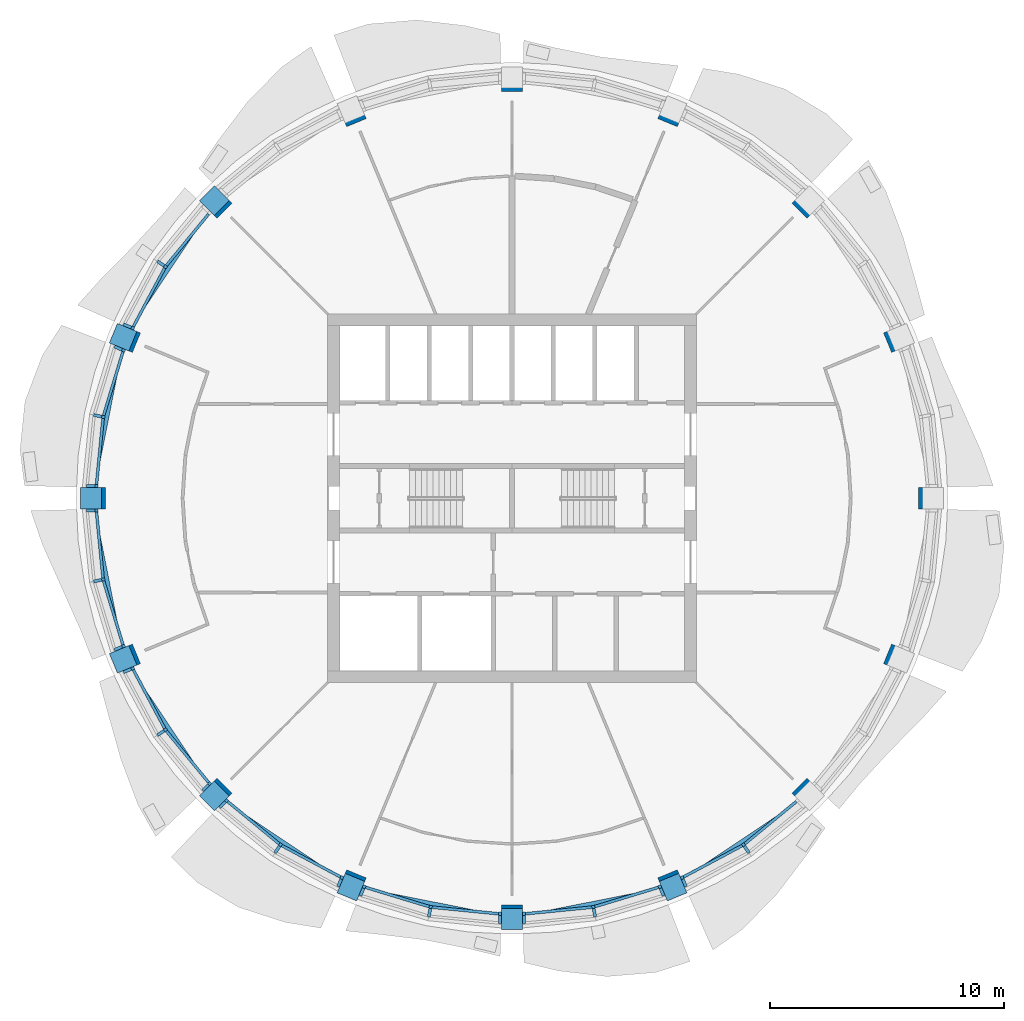
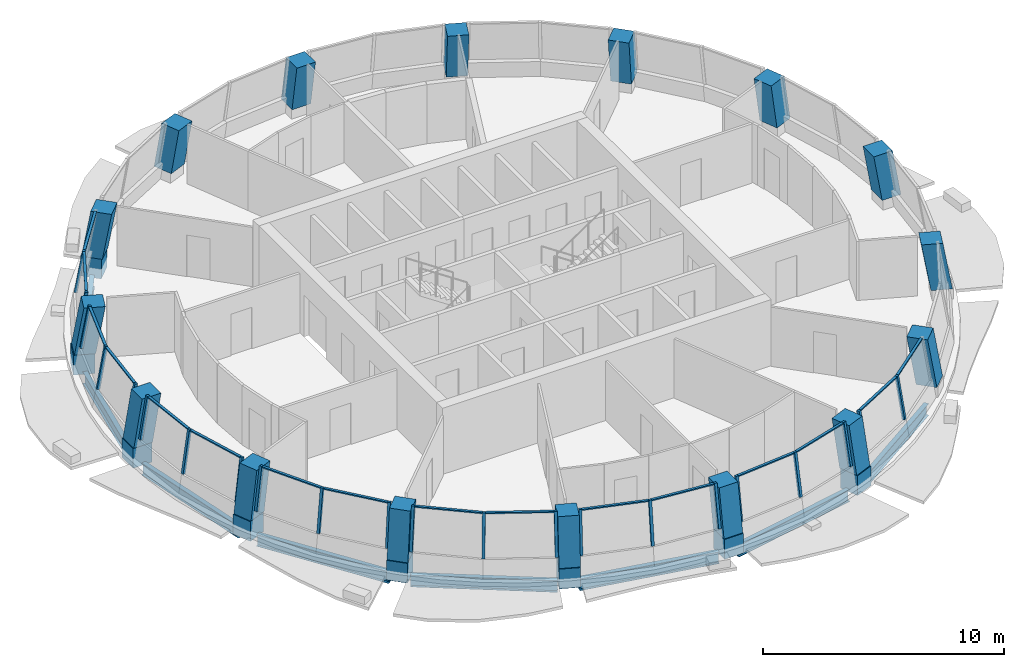
# One storey, part 1 of 11: 46 members, 16 columns, 8 beams, 8 elements without a shape of their own.
"""IFC4 building model written with IfcOpenShell, lengths in metres."""

from ifc_helpers import new_model, si_unit, direction, frame, origin, origin_2d, place, context, subcontext, project, spatial, rectangle, i_section, extrude, material, material_profile, profile_set, type_object, element, aggregate, save


model = new_model("IFC4")

# Units and contexts
model_context = context("Model", 3, precision=1e-05, world=origin(), true_north=direction((0.0, 1.0)))
body_context = subcontext(model_context, "Body", "Model", "MODEL_VIEW")
ifc_project = project(units=[si_unit("LENGTHUNIT", "METRE"), si_unit("AREAUNIT", "SQUARE_METRE"), si_unit("VOLUMEUNIT", "CUBIC_METRE"), si_unit("PLANEANGLEUNIT", "RADIAN"), si_unit("MASSUNIT", "GRAM", prefix="KILO")], contexts=[model_context])

# Site, building, storey
site_placement = place(None, origin())
site = spatial("IfcSite", under=ifc_project, at=site_placement, CompositionType="ELEMENT")
building_placement = place(site_placement, origin())
building = spatial("IfcBuilding", under=site, at=building_placement, Name="Polderwave Tower", CompositionType="ELEMENT")
storey_placement = place(building_placement, frame((0.0, 0.0, 184.300048828125)))
storey = spatial("IfcBuildingStorey", under=building, at=storey_placement, Name="L49", CompositionType="ELEMENT", Elevation=184.300048828125)

# Columns
ifc_material_1 = material(Name="Concrete C60/75", Category="concrete")
ifc_material_profile_1 = material_profile(ifc_material_1, rectangle(XDim=0.89990234375, YDim=0.89990234375, at=origin_2d()), Name="RC 900x900")
ifc_profile_set_1 = profile_set([ifc_material_profile_1], Name="Concrete C60/75")
column_type = type_object("IfcColumnType", Name="RC COLUMN 900x900 C60/75", PredefinedType="COLUMN", material=ifc_profile_set_1)
column_1_placement = place(storey_placement, frame((17.934814453125, 0.0, 0.5), z_axis=(0.0, 0.0, 1.0), x_axis=(0.0, -1.0, 0.0)))
element("IfcColumn", 1, at=column_1_placement, inside=storey, type_object=column_type, Name="Ring column 01", PredefinedType="COLUMN", context=body_context, shape_type="SweptSolid", body=[
    extrude(rectangle(XDim=0.89990234375, YDim=0.89990234375, at=origin_2d()), origin(), (0.0, -0.16767015469, 0.985843151432), 2.383544921875),
])
column_2_placement = place(storey_placement, frame((16.56982421875, 6.86328125, 0.5), z_axis=(0.0, 0.0, 1.0), x_axis=(0.382100188932, -0.924120904221, 0.0)))
element("IfcColumn", 2, at=column_2_placement, inside=storey, type_object=column_type, Name="Ring column 02", PredefinedType="COLUMN", context=body_context, shape_type="SweptSolid", body=[
    extrude(rectangle(XDim=0.89990234375, YDim=0.89990234375, at=origin_2d()), origin(), (0.0, -0.167800930214, 0.985820900478), 2.383544921875),
])
column_3_placement = place(storey_placement, frame((12.681884765625, 12.681884765625, 0.5), z_axis=(0.0, 0.0, 1.0), x_axis=(0.707106781187, -0.707106781187, 0.0)))
element("IfcColumn", 3, at=column_3_placement, inside=storey, type_object=column_type, Name="Ring column 03", PredefinedType="COLUMN", context=body_context, shape_type="SweptSolid", body=[
    extrude(rectangle(XDim=0.89990234375, YDim=0.89990234375, at=origin_2d()), origin(), (0.0, -0.16773578461, 0.985831986984), 2.383544921875),
])
column_4_placement = place(storey_placement, frame((6.86328125, 16.56982421875, 0.5), z_axis=(0.0, 0.0, 1.0), x_axis=(0.924120904221, -0.382100188932, 0.0)))
element("IfcColumn", 4, at=column_4_placement, inside=storey, type_object=column_type, Name="Ring column 04", PredefinedType="COLUMN", context=body_context, shape_type="SweptSolid", body=[
    extrude(rectangle(XDim=0.89990234375, YDim=0.89990234375, at=origin_2d()), origin(), (0.0, -0.167800930214, 0.985820900478), 2.383544921875),
])
column_5_placement = place(storey_placement, frame((0.0, 17.934814453125, 0.5), z_axis=(0.0, 0.0, 1.0), x_axis=(1.0, 0.0, 0.0)))
element("IfcColumn", 5, at=column_5_placement, inside=storey, type_object=column_type, Name="Ring column 05", PredefinedType="COLUMN", context=body_context, shape_type="SweptSolid", body=[
    extrude(rectangle(XDim=0.89990234375, YDim=0.89990234375, at=origin_2d()), origin(), (0.0, -0.16767015469, 0.985843151432), 2.383544921875),
])
column_6_placement = place(storey_placement, frame((-6.86328125, 16.56982421875, 0.5), z_axis=(0.0, 0.0, 1.0), x_axis=(0.924120904221, 0.382100188932, 0.0)))
element("IfcColumn", 6, at=column_6_placement, inside=storey, type_object=column_type, Name="Ring column 06", PredefinedType="COLUMN", context=body_context, shape_type="SweptSolid", body=[
    extrude(rectangle(XDim=0.89990234375, YDim=0.89990234375, at=origin_2d()), origin(), (0.0, -0.167800930214, 0.985820900478), 2.383544921875),
])
column_7_placement = place(storey_placement, frame((-12.681884765625, 12.681884765625, 0.5), z_axis=(0.0, 0.0, 1.0), x_axis=(0.707106781187, 0.707106781187, 0.0)))
element("IfcColumn", 7, at=column_7_placement, inside=storey, type_object=column_type, Name="Ring column 07", PredefinedType="COLUMN", context=body_context, shape_type="SweptSolid", body=[
    extrude(rectangle(XDim=0.89990234375, YDim=0.89990234375, at=origin_2d()), origin(), (0.0, -0.16773578461, 0.985831986984), 2.383544921875),
])
column_8_placement = place(storey_placement, frame((-16.56982421875, 6.86328125, 0.5), z_axis=(0.0, 0.0, 1.0), x_axis=(0.382100188932, 0.924120904221, 0.0)))
element("IfcColumn", 8, at=column_8_placement, inside=storey, type_object=column_type, Name="Ring column 08", PredefinedType="COLUMN", context=body_context, shape_type="SweptSolid", body=[
    extrude(rectangle(XDim=0.89990234375, YDim=0.89990234375, at=origin_2d()), origin(), (0.0, -0.167800930214, 0.985820900478), 2.383544921875),
])
column_9_placement = place(storey_placement, frame((-17.934814453125, 0.0, 0.5), z_axis=(0.0, 0.0, 1.0), x_axis=(0.0, 1.0, 0.0)))
element("IfcColumn", 9, at=column_9_placement, inside=storey, type_object=column_type, Name="Ring column 09", PredefinedType="COLUMN", context=body_context, shape_type="SweptSolid", body=[
    extrude(rectangle(XDim=0.89990234375, YDim=0.89990234375, at=origin_2d()), origin(), (0.0, -0.16767015469, 0.985843151432), 2.383544921875),
])
column_10_placement = place(storey_placement, frame((-16.56982421875, -6.86328125, 0.5), z_axis=(0.0, 0.0, 1.0), x_axis=(-0.382100188932, 0.924120904221, 0.0)))
element("IfcColumn", 10, at=column_10_placement, inside=storey, type_object=column_type, Name="Ring column 10", PredefinedType="COLUMN", context=body_context, shape_type="SweptSolid", body=[
    extrude(rectangle(XDim=0.89990234375, YDim=0.89990234375, at=origin_2d()), origin(), (0.0, -0.167800930214, 0.985820900478), 2.383544921875),
])
column_11_placement = place(storey_placement, frame((-12.681884765625, -12.681884765625, 0.5), z_axis=(0.0, 0.0, 1.0), x_axis=(-0.707106781187, 0.707106781187, 0.0)))
element("IfcColumn", 11, at=column_11_placement, inside=storey, type_object=column_type, Name="Ring column 11", PredefinedType="COLUMN", context=body_context, shape_type="SweptSolid", body=[
    extrude(rectangle(XDim=0.89990234375, YDim=0.89990234375, at=origin_2d()), origin(), (0.0, -0.16773578461, 0.985831986984), 2.383544921875),
])
column_12_placement = place(storey_placement, frame((-6.86328125, -16.56982421875, 0.5), z_axis=(0.0, 0.0, 1.0), x_axis=(-0.924120904221, 0.382100188932, 0.0)))
element("IfcColumn", 12, at=column_12_placement, inside=storey, type_object=column_type, Name="Ring column 12", PredefinedType="COLUMN", context=body_context, shape_type="SweptSolid", body=[
    extrude(rectangle(XDim=0.89990234375, YDim=0.89990234375, at=origin_2d()), origin(), (0.0, -0.167800930214, 0.985820900478), 2.383544921875),
])
column_13_placement = place(storey_placement, frame((0.0, -17.934814453125, 0.5), z_axis=(0.0, 0.0, 1.0), x_axis=(-1.0, 0.0, 0.0)))
element("IfcColumn", 13, at=column_13_placement, inside=storey, type_object=column_type, Name="Ring column 13", PredefinedType="COLUMN", context=body_context, shape_type="SweptSolid", body=[
    extrude(rectangle(XDim=0.89990234375, YDim=0.89990234375, at=origin_2d()), origin(), (0.0, -0.16767015469, 0.985843151432), 2.383544921875),
])
column_14_placement = place(storey_placement, frame((6.86328125, -16.56982421875, 0.5), z_axis=(0.0, 0.0, 1.0), x_axis=(-0.924120904221, -0.382100188932, 0.0)))
element("IfcColumn", 14, at=column_14_placement, inside=storey, type_object=column_type, Name="Ring column 14", PredefinedType="COLUMN", context=body_context, shape_type="SweptSolid", body=[
    extrude(rectangle(XDim=0.89990234375, YDim=0.89990234375, at=origin_2d()), origin(), (0.0, -0.167800930214, 0.985820900478), 2.383544921875),
])
column_15_placement = place(storey_placement, frame((12.681884765625, -12.681884765625, 0.5), z_axis=(0.0, 0.0, 1.0), x_axis=(-0.707106781187, -0.707106781187, 0.0)))
element("IfcColumn", 15, at=column_15_placement, inside=storey, type_object=column_type, Name="Ring column 15", PredefinedType="COLUMN", context=body_context, shape_type="SweptSolid", body=[
    extrude(rectangle(XDim=0.89990234375, YDim=0.89990234375, at=origin_2d()), origin(), (0.0, -0.16773578461, 0.985831986984), 2.383544921875),
])
column_16_placement = place(storey_placement, frame((16.56982421875, -6.86328125, 0.5), z_axis=(0.0, 0.0, 1.0), x_axis=(-0.382100188932, -0.924120904221, 0.0)))
element("IfcColumn", 16, at=column_16_placement, inside=storey, type_object=column_type, Name="Ring column 16", PredefinedType="COLUMN", context=body_context, shape_type="SweptSolid", body=[
    extrude(rectangle(XDim=0.89990234375, YDim=0.89990234375, at=origin_2d()), origin(), (0.0, -0.167800930214, 0.985820900478), 2.383544921875),
])

# Curtain wall, members
ifc_material_2 = material(Name="Aluminium 6063-T6 and glass", Category="aluminium")
curtain_wall_type = type_object("IfcCurtainWallType", Name="Office ribbon glazing, leaning storey wall", PredefinedType="NOTDEFINED", material=ifc_material_2)
curtain_wall_1_placement = place(storey_placement, origin())
curtain_wall_1 = element("IfcCurtainWall", 17, at=curtain_wall_1_placement, inside=storey, type_object=curtain_wall_type, Name="CW9 L49 06", PredefinedType="NOTDEFINED")
ifc_material_3 = material(Name="Aluminium 6063-T6", Category="aluminium")
ifc_material_profile_2 = material_profile(ifc_material_3, rectangle(XDim=0.1298828125, YDim=0.139892578125, at=origin_2d()), Name="AL 130x140")
ifc_profile_set_2 = profile_set([ifc_material_profile_2], Name="Aluminium 6063-T6")
member_type_1 = type_object("IfcMemberType", Name="Office ribbon glazing, leaning storey mullion 130x140", PredefinedType="MULLION", material=ifc_profile_set_2)
member_1_placement = place(storey_placement, frame((-15.089111328125, 10.082275390625, 0.89990234375), z_axis=(0.135793100308, -0.090834573855, 0.986564399368), x_axis=(0.555995550238, 0.831185267023, 0.0)))
member_1 = element("IfcMember", 18, at=member_1_placement, type_object=member_type_1, Name="CW9 mullion 2", PredefinedType="MULLION", context=body_context, shape_type="SweptSolid", body=[
    extrude(rectangle(XDim=0.1298828125, YDim=0.139892578125, at=origin_2d()), origin(), (0.0, 0.0, 1.0), 2.128662109375),
])
member_2_placement = place(storey_placement, frame((-16.522705078125, 7.4013671875, 0.89990234375), z_axis=(0.150932433199, -0.062506212837, 0.986565950135), x_axis=(0.38262048223, 0.923905604798, 0.0)))
member_2 = element("IfcMember", 19, at=member_2_placement, type_object=member_type_1, Name="CW9 mullion 3", PredefinedType="MULLION", context=body_context, shape_type="SweptSolid", body=[
    extrude(rectangle(XDim=0.1298828125, YDim=0.139892578125, at=origin_2d()), origin(), (0.0, 0.0, 1.0), 2.128662109375),
])

curtain_wall_2_placement = place(storey_placement, origin())
curtain_wall_2 = element("IfcCurtainWall", 20, at=curtain_wall_2_placement, inside=storey, type_object=curtain_wall_type, Name="CW9 L49 07", PredefinedType="NOTDEFINED")
member_3_placement = place(storey_placement, frame((-16.916259765625, 6.44970703125, 0.89990234375), z_axis=(0.150933514231, -0.062391969408, 0.986573016272), x_axis=(0.382020964761, 0.924153657399, 0.0)))
member_3 = element("IfcMember", 21, at=member_3_placement, type_object=member_type_1, Name="CW9 mullion 1", PredefinedType="MULLION", context=body_context, shape_type="SweptSolid", body=[
    extrude(rectangle(XDim=0.1298828125, YDim=0.139892578125, at=origin_2d()), origin(), (0.0, 0.0, 1.0), 2.128662109375),
])
member_4_placement = place(storey_placement, frame((-17.798828125, 3.541015625, 0.89990234375), z_axis=(0.160109999063, -0.031999061417, 0.986580381048), x_axis=(0.195981048463, 0.980607683349, 0.0)))
member_4 = element("IfcMember", 22, at=member_4_placement, type_object=member_type_1, Name="CW9 mullion 2", PredefinedType="MULLION", context=body_context, shape_type="SweptSolid", body=[
    extrude(rectangle(XDim=0.1298828125, YDim=0.139892578125, at=origin_2d()), origin(), (0.0, 0.0, 1.0), 2.128662109375),
])
member_5_placement = place(storey_placement, frame((-18.097412109375, 0.5146484375, 0.89990234375), z_axis=(0.163431801187, 0.0, 0.98655463425), x_axis=(0.0, 1.0, 0.0)))
member_5 = element("IfcMember", 23, at=member_5_placement, type_object=member_type_1, Name="CW9 mullion 3", PredefinedType="MULLION", context=body_context, shape_type="SweptSolid", body=[
    extrude(rectangle(XDim=0.1298828125, YDim=0.139892578125, at=origin_2d()), origin(), (0.0, 0.0, 1.0), 2.128662109375),
])

curtain_wall_3_placement = place(storey_placement, origin())
curtain_wall_3 = element("IfcCurtainWall", 24, at=curtain_wall_3_placement, inside=storey, type_object=curtain_wall_type, Name="CW9 L49 08", PredefinedType="NOTDEFINED")
member_6_placement = place(storey_placement, frame((-18.097412109375, -0.5146484375, 0.89990234375), z_axis=(0.163431801187, 0.0, 0.98655463425), x_axis=(0.0, 1.0, 0.0)))
member_6 = element("IfcMember", 25, at=member_6_placement, type_object=member_type_1, Name="CW9 mullion 1", PredefinedType="MULLION", context=body_context, shape_type="SweptSolid", body=[
    extrude(rectangle(XDim=0.1298828125, YDim=0.139892578125, at=origin_2d()), origin(), (0.0, 0.0, 1.0), 2.128662109375),
])
member_7_placement = place(storey_placement, frame((-17.798828125, -3.541015625, 0.89990234375), z_axis=(0.160109999063, 0.031999061417, 0.986580381048), x_axis=(-0.195981048463, 0.980607683349, 0.0)))
member_7 = element("IfcMember", 26, at=member_7_placement, type_object=member_type_1, Name="CW9 mullion 2", PredefinedType="MULLION", context=body_context, shape_type="SweptSolid", body=[
    extrude(rectangle(XDim=0.1298828125, YDim=0.139892578125, at=origin_2d()), origin(), (0.0, 0.0, 1.0), 2.128662109375),
])
member_8_placement = place(storey_placement, frame((-16.916259765625, -6.44970703125, 0.89990234375), z_axis=(0.150933514231, 0.062391969408, 0.986573016272), x_axis=(-0.382020964761, 0.924153657399, 0.0)))
member_8 = element("IfcMember", 27, at=member_8_placement, type_object=member_type_1, Name="CW9 mullion 3", PredefinedType="MULLION", context=body_context, shape_type="SweptSolid", body=[
    extrude(rectangle(XDim=0.1298828125, YDim=0.139892578125, at=origin_2d()), origin(), (0.0, 0.0, 1.0), 2.128662109375),
])

curtain_wall_4_placement = place(storey_placement, origin())
curtain_wall_4 = element("IfcCurtainWall", 28, at=curtain_wall_4_placement, inside=storey, type_object=curtain_wall_type, Name="CW9 L49 09", PredefinedType="NOTDEFINED")
member_9_placement = place(storey_placement, frame((-16.522705078125, -7.4013671875, 0.89990234375), z_axis=(0.150932433199, 0.062506212837, 0.986565950135), x_axis=(-0.38262048223, 0.923905604798, 0.0)))
member_9 = element("IfcMember", 29, at=member_9_placement, type_object=member_type_1, Name="CW9 mullion 1", PredefinedType="MULLION", context=body_context, shape_type="SweptSolid", body=[
    extrude(rectangle(XDim=0.1298828125, YDim=0.139892578125, at=origin_2d()), origin(), (0.0, 0.0, 1.0), 2.128662109375),
])
member_10_placement = place(storey_placement, frame((-15.089111328125, -10.082275390625, 0.89990234375), z_axis=(0.135793100308, 0.090834573855, 0.986564399368), x_axis=(-0.555995550238, 0.831185267023, 0.0)))
member_10 = element("IfcMember", 30, at=member_10_placement, type_object=member_type_1, Name="CW9 mullion 2", PredefinedType="MULLION", context=body_context, shape_type="SweptSolid", body=[
    extrude(rectangle(XDim=0.1298828125, YDim=0.139892578125, at=origin_2d()), origin(), (0.0, 0.0, 1.0), 2.128662109375),
])
member_11_placement = place(storey_placement, frame((-13.16064453125, -12.4326171875, 0.89990234375), z_axis=(0.115720038741, 0.115490663044, 0.986544869422), x_axis=(-0.706404938746, 0.707807927701, 0.0)))
member_11 = element("IfcMember", 31, at=member_11_placement, type_object=member_type_1, Name="CW9 mullion 3", PredefinedType="MULLION", context=body_context, shape_type="SweptSolid", body=[
    extrude(rectangle(XDim=0.1298828125, YDim=0.139892578125, at=origin_2d()), origin(), (0.0, 0.0, 1.0), 2.128662109375),
])

curtain_wall_5_placement = place(storey_placement, origin())
curtain_wall_5 = element("IfcCurtainWall", 32, at=curtain_wall_5_placement, inside=storey, type_object=curtain_wall_type, Name="CW9 L49 10", PredefinedType="NOTDEFINED")
member_12_placement = place(storey_placement, frame((-12.4326171875, -13.16064453125, 0.89990234375), z_axis=(0.115490663044, 0.115720038741, 0.986544869422), x_axis=(-0.707807927701, 0.706404938746, 0.0)))
member_12 = element("IfcMember", 33, at=member_12_placement, type_object=member_type_1, Name="CW9 mullion 1", PredefinedType="MULLION", context=body_context, shape_type="SweptSolid", body=[
    extrude(rectangle(XDim=0.1298828125, YDim=0.139892578125, at=origin_2d()), origin(), (0.0, 0.0, 1.0), 2.128662109375),
])
member_13_placement = place(storey_placement, frame((-10.082275390625, -15.089111328125, 0.89990234375), z_axis=(0.090834573855, 0.135793100308, 0.986564399368), x_axis=(-0.831185267023, 0.555995550238, 0.0)))
member_13 = element("IfcMember", 34, at=member_13_placement, type_object=member_type_1, Name="CW9 mullion 2", PredefinedType="MULLION", context=body_context, shape_type="SweptSolid", body=[
    extrude(rectangle(XDim=0.1298828125, YDim=0.139892578125, at=origin_2d()), origin(), (0.0, 0.0, 1.0), 2.128662109375),
])
member_14_placement = place(storey_placement, frame((-7.4013671875, -16.522705078125, 0.89990234375), z_axis=(0.062506212837, 0.150932433199, 0.986565950135), x_axis=(-0.923905604798, 0.38262048223, 0.0)))
member_14 = element("IfcMember", 35, at=member_14_placement, type_object=member_type_1, Name="CW9 mullion 3", PredefinedType="MULLION", context=body_context, shape_type="SweptSolid", body=[
    extrude(rectangle(XDim=0.1298828125, YDim=0.139892578125, at=origin_2d()), origin(), (0.0, 0.0, 1.0), 2.128662109375),
])

curtain_wall_6_placement = place(storey_placement, origin())
curtain_wall_6 = element("IfcCurtainWall", 36, at=curtain_wall_6_placement, inside=storey, type_object=curtain_wall_type, Name="CW9 L49 11", PredefinedType="NOTDEFINED")
member_15_placement = place(storey_placement, frame((-6.44970703125, -16.916259765625, 0.89990234375), z_axis=(0.062391969408, 0.150933514231, 0.986573016272), x_axis=(-0.924153657399, 0.382020964761, 0.0)))
member_15 = element("IfcMember", 37, at=member_15_placement, type_object=member_type_1, Name="CW9 mullion 1", PredefinedType="MULLION", context=body_context, shape_type="SweptSolid", body=[
    extrude(rectangle(XDim=0.1298828125, YDim=0.139892578125, at=origin_2d()), origin(), (0.0, 0.0, 1.0), 2.128662109375),
])
member_16_placement = place(storey_placement, frame((-3.541015625, -17.798828125, 0.89990234375), z_axis=(0.031999061417, 0.160109999063, 0.986580381048), x_axis=(-0.980607683349, 0.195981048463, 0.0)))
member_16 = element("IfcMember", 38, at=member_16_placement, type_object=member_type_1, Name="CW9 mullion 2", PredefinedType="MULLION", context=body_context, shape_type="SweptSolid", body=[
    extrude(rectangle(XDim=0.1298828125, YDim=0.139892578125, at=origin_2d()), origin(), (0.0, 0.0, 1.0), 2.128662109375),
])
member_17_placement = place(storey_placement, frame((-0.5146484375, -18.097412109375, 0.89990234375), z_axis=(0.0, 0.163431801187, 0.98655463425), x_axis=(-1.0, 0.0, 0.0)))
member_17 = element("IfcMember", 39, at=member_17_placement, type_object=member_type_1, Name="CW9 mullion 3", PredefinedType="MULLION", context=body_context, shape_type="SweptSolid", body=[
    extrude(rectangle(XDim=0.1298828125, YDim=0.139892578125, at=origin_2d()), origin(), (0.0, 0.0, 1.0), 2.128662109375),
])

curtain_wall_7_placement = place(storey_placement, origin())
curtain_wall_7 = element("IfcCurtainWall", 40, at=curtain_wall_7_placement, inside=storey, type_object=curtain_wall_type, Name="CW9 L49 12", PredefinedType="NOTDEFINED")
member_18_placement = place(storey_placement, frame((0.5146484375, -18.097412109375, 0.89990234375), z_axis=(0.0, 0.163431801187, 0.98655463425), x_axis=(-1.0, 0.0, 0.0)))
member_18 = element("IfcMember", 41, at=member_18_placement, type_object=member_type_1, Name="CW9 mullion 1", PredefinedType="MULLION", context=body_context, shape_type="SweptSolid", body=[
    extrude(rectangle(XDim=0.1298828125, YDim=0.139892578125, at=origin_2d()), origin(), (0.0, 0.0, 1.0), 2.128662109375),
])
member_19_placement = place(storey_placement, frame((3.541015625, -17.798828125, 0.89990234375), z_axis=(-0.031999061417, 0.160109999063, 0.986580381048), x_axis=(-0.980607683349, -0.195981048463, 0.0)))
member_19 = element("IfcMember", 42, at=member_19_placement, type_object=member_type_1, Name="CW9 mullion 2", PredefinedType="MULLION", context=body_context, shape_type="SweptSolid", body=[
    extrude(rectangle(XDim=0.1298828125, YDim=0.139892578125, at=origin_2d()), origin(), (0.0, 0.0, 1.0), 2.128662109375),
])
member_20_placement = place(storey_placement, frame((6.44970703125, -16.916259765625, 0.89990234375), z_axis=(-0.062391969408, 0.150933514231, 0.986573016272), x_axis=(-0.924153657399, -0.382020964761, 0.0)))
member_20 = element("IfcMember", 43, at=member_20_placement, type_object=member_type_1, Name="CW9 mullion 3", PredefinedType="MULLION", context=body_context, shape_type="SweptSolid", body=[
    extrude(rectangle(XDim=0.1298828125, YDim=0.139892578125, at=origin_2d()), origin(), (0.0, 0.0, 1.0), 2.128662109375),
])

curtain_wall_8_placement = place(storey_placement, origin())
curtain_wall_8 = element("IfcCurtainWall", 44, at=curtain_wall_8_placement, inside=storey, type_object=curtain_wall_type, Name="CW9 L49 13", PredefinedType="NOTDEFINED")
member_21_placement = place(storey_placement, frame((7.4013671875, -16.522705078125, 0.89990234375), z_axis=(-0.062506212837, 0.150932433199, 0.986565950135), x_axis=(-0.923905604798, -0.38262048223, 0.0)))
member_21 = element("IfcMember", 45, at=member_21_placement, type_object=member_type_1, Name="CW9 mullion 1", PredefinedType="MULLION", context=body_context, shape_type="SweptSolid", body=[
    extrude(rectangle(XDim=0.1298828125, YDim=0.139892578125, at=origin_2d()), origin(), (0.0, 0.0, 1.0), 2.128662109375),
])
member_22_placement = place(storey_placement, frame((10.082275390625, -15.089111328125, 0.89990234375), z_axis=(-0.090834573855, 0.135793100308, 0.986564399368), x_axis=(-0.831185267023, -0.555995550238, 0.0)))
member_22 = element("IfcMember", 46, at=member_22_placement, type_object=member_type_1, Name="CW9 mullion 2", PredefinedType="MULLION", context=body_context, shape_type="SweptSolid", body=[
    extrude(rectangle(XDim=0.1298828125, YDim=0.139892578125, at=origin_2d()), origin(), (0.0, 0.0, 1.0), 2.128662109375),
])

# Member
ifc_material_profile_3 = material_profile(ifc_material_3, rectangle(XDim=0.1201171875, YDim=0.06005859375, at=origin_2d()), Name="AL 60x120")
ifc_profile_set_3 = profile_set([ifc_material_profile_3], Name="Aluminium 6063-T6")
member_type_2 = type_object("IfcMemberType", Name="Office ribbon glazing, leaning storey transom 60x120", PredefinedType="USERDEFINED", material=ifc_profile_set_3)
member_23_placement = place(storey_placement, frame((-12.958984375, 12.139892578125, 2.969970703125), z_axis=(-0.634415285809, -0.772992396555, 0.0), x_axis=(0.772992396555, -0.634415285809, 0.0)))
member_23 = element("IfcMember", 47, at=member_23_placement, type_object=member_type_2, Name="CW9 transom 1", ObjectType="TRANSOM", PredefinedType="USERDEFINED", context=body_context, shape_type="SweptSolid", body=[
    extrude(rectangle(XDim=0.1201171875, YDim=0.06005859375, at=origin_2d()), origin(), (0.0, 0.0, 1.0), 2.843505859375),
])

member_24_placement = place(storey_placement, frame((-14.834716796875, 9.83447265625, 2.969970703125), z_axis=(-0.471537337617, -0.881846097249, 0.0), x_axis=(0.881846097249, -0.471537337617, 0.0)))
member_24 = element("IfcMember", 48, at=member_24_placement, type_object=member_type_2, Name="CW9 transom 2", ObjectType="TRANSOM", PredefinedType="USERDEFINED", context=body_context, shape_type="SweptSolid", body=[
    extrude(rectangle(XDim=0.1201171875, YDim=0.06005859375, at=origin_2d()), origin(), (0.0, 0.0, 1.0), 2.843017578125),
])

aggregate(curtain_wall_1, [member_1, member_2, member_23, member_24])

member_25_placement = place(storey_placement, frame((-16.618408203125, 6.256591796875, 2.969970703125), z_axis=(-0.290426844186, -0.956897198332, 0.0), x_axis=(0.956897198332, -0.290426844186, 0.0)))
member_25 = element("IfcMember", 49, at=member_25_placement, type_object=member_type_2, Name="CW9 transom 1", ObjectType="TRANSOM", PredefinedType="USERDEFINED", context=body_context, shape_type="SweptSolid", body=[
    extrude(rectangle(XDim=0.1201171875, YDim=0.06005859375, at=origin_2d()), origin(), (0.0, 0.0, 1.0), 2.843017578125),
])

member_26_placement = place(storey_placement, frame((-17.46923828125, 3.4091796875, 2.969970703125), z_axis=(-0.098135006955, -0.995173110775, 0.0), x_axis=(0.995173110775, -0.098135006955, 0.0)))
member_26 = element("IfcMember", 50, at=member_26_placement, type_object=member_type_2, Name="CW9 transom 2", ObjectType="TRANSOM", PredefinedType="USERDEFINED", context=body_context, shape_type="SweptSolid", body=[
    extrude(rectangle(XDim=0.1201171875, YDim=0.06005859375, at=origin_2d()), origin(), (0.0, 0.0, 1.0), 2.843505859375),
])

aggregate(curtain_wall_2, [member_3, member_4, member_5, member_25, member_26])

member_27_placement = place(storey_placement, frame((-17.748291015625, -0.579345703125, 2.969970703125), z_axis=(0.098135006955, -0.995173110775, 0.0), x_axis=(0.995173110775, 0.098135006955, 0.0)))
member_27 = element("IfcMember", 51, at=member_27_placement, type_object=member_type_2, Name="CW9 transom 1", ObjectType="TRANSOM", PredefinedType="USERDEFINED", context=body_context, shape_type="SweptSolid", body=[
    extrude(rectangle(XDim=0.1201171875, YDim=0.06005859375, at=origin_2d()), origin(), (0.0, 0.0, 1.0), 2.843505859375),
])

member_28_placement = place(storey_placement, frame((-17.444091796875, -3.5361328125, 2.969970703125), z_axis=(0.290426844186, -0.956897198332, 0.0), x_axis=(0.956897198332, 0.290426844186, 0.0)))
member_28 = element("IfcMember", 52, at=member_28_placement, type_object=member_type_2, Name="CW9 transom 2", ObjectType="TRANSOM", PredefinedType="USERDEFINED", context=body_context, shape_type="SweptSolid", body=[
    extrude(rectangle(XDim=0.1201171875, YDim=0.06005859375, at=origin_2d()), origin(), (0.0, 0.0, 1.0), 2.843017578125),
])

aggregate(curtain_wall_3, [member_6, member_7, member_8, member_27, member_28])

member_29_placement = place(storey_placement, frame((-16.17529296875, -7.327392578125, 2.969970703125), z_axis=(0.471537337617, -0.881846097249, 0.0), x_axis=(0.881846097249, 0.471537337617, 0.0)))
member_29 = element("IfcMember", 53, at=member_29_placement, type_object=member_type_2, Name="CW9 transom 1", ObjectType="TRANSOM", PredefinedType="USERDEFINED", context=body_context, shape_type="SweptSolid", body=[
    extrude(rectangle(XDim=0.1201171875, YDim=0.06005859375, at=origin_2d()), origin(), (0.0, 0.0, 1.0), 2.843017578125),
])

member_30_placement = place(storey_placement, frame((-14.762939453125, -9.94189453125, 2.969970703125), z_axis=(0.634415285809, -0.772992396555, 0.0), x_axis=(0.772992396555, 0.634415285809, 0.0)))
member_30 = element("IfcMember", 54, at=member_30_placement, type_object=member_type_2, Name="CW9 transom 2", ObjectType="TRANSOM", PredefinedType="USERDEFINED", context=body_context, shape_type="SweptSolid", body=[
    extrude(rectangle(XDim=0.1201171875, YDim=0.06005859375, at=origin_2d()), origin(), (0.0, 0.0, 1.0), 2.843505859375),
])

aggregate(curtain_wall_4, [member_9, member_10, member_11, member_29, member_30])

member_31_placement = place(storey_placement, frame((-12.139892578125, -12.958984375, 2.969970703125), z_axis=(0.772992396555, -0.634415285809, 0.0), x_axis=(0.634415285809, 0.772992396555, 0.0)))
member_31 = element("IfcMember", 55, at=member_31_placement, type_object=member_type_2, Name="CW9 transom 1", ObjectType="TRANSOM", PredefinedType="USERDEFINED", context=body_context, shape_type="SweptSolid", body=[
    extrude(rectangle(XDim=0.1201171875, YDim=0.06005859375, at=origin_2d()), origin(), (0.0, 0.0, 1.0), 2.843505859375),
])

member_32_placement = place(storey_placement, frame((-9.83447265625, -14.834716796875, 2.969970703125), z_axis=(0.881846097249, -0.471537337617, 0.0), x_axis=(0.471537337617, 0.881846097249, 0.0)))
member_32 = element("IfcMember", 56, at=member_32_placement, type_object=member_type_2, Name="CW9 transom 2", ObjectType="TRANSOM", PredefinedType="USERDEFINED", context=body_context, shape_type="SweptSolid", body=[
    extrude(rectangle(XDim=0.1201171875, YDim=0.06005859375, at=origin_2d()), origin(), (0.0, 0.0, 1.0), 2.843017578125),
])

aggregate(curtain_wall_5, [member_12, member_13, member_14, member_31, member_32])

member_33_placement = place(storey_placement, frame((-6.256591796875, -16.618408203125, 2.969970703125), z_axis=(0.956897198332, -0.290426844186, 0.0), x_axis=(0.290426844186, 0.956897198332, 0.0)))
member_33 = element("IfcMember", 57, at=member_33_placement, type_object=member_type_2, Name="CW9 transom 1", ObjectType="TRANSOM", PredefinedType="USERDEFINED", context=body_context, shape_type="SweptSolid", body=[
    extrude(rectangle(XDim=0.1201171875, YDim=0.06005859375, at=origin_2d()), origin(), (0.0, 0.0, 1.0), 2.843017578125),
])

member_34_placement = place(storey_placement, frame((-3.4091796875, -17.46923828125, 2.969970703125), z_axis=(0.995173110775, -0.098135006955, 0.0), x_axis=(0.098135006955, 0.995173110775, 0.0)))
member_34 = element("IfcMember", 58, at=member_34_placement, type_object=member_type_2, Name="CW9 transom 2", ObjectType="TRANSOM", PredefinedType="USERDEFINED", context=body_context, shape_type="SweptSolid", body=[
    extrude(rectangle(XDim=0.1201171875, YDim=0.06005859375, at=origin_2d()), origin(), (0.0, 0.0, 1.0), 2.843505859375),
])

aggregate(curtain_wall_6, [member_15, member_16, member_17, member_33, member_34])

member_35_placement = place(storey_placement, frame((0.579345703125, -17.748291015625, 2.969970703125), z_axis=(0.995173110775, 0.098135006955, 0.0), x_axis=(-0.098135006955, 0.995173110775, 0.0)))
member_35 = element("IfcMember", 59, at=member_35_placement, type_object=member_type_2, Name="CW9 transom 1", ObjectType="TRANSOM", PredefinedType="USERDEFINED", context=body_context, shape_type="SweptSolid", body=[
    extrude(rectangle(XDim=0.1201171875, YDim=0.06005859375, at=origin_2d()), origin(), (0.0, 0.0, 1.0), 2.843505859375),
])

member_36_placement = place(storey_placement, frame((3.5361328125, -17.444091796875, 2.969970703125), z_axis=(0.956897198332, 0.290426844186, 0.0), x_axis=(-0.290426844186, 0.956897198332, 0.0)))
member_36 = element("IfcMember", 60, at=member_36_placement, type_object=member_type_2, Name="CW9 transom 2", ObjectType="TRANSOM", PredefinedType="USERDEFINED", context=body_context, shape_type="SweptSolid", body=[
    extrude(rectangle(XDim=0.1201171875, YDim=0.06005859375, at=origin_2d()), origin(), (0.0, 0.0, 1.0), 2.843017578125),
])

aggregate(curtain_wall_7, [member_18, member_19, member_20, member_35, member_36])

member_37_placement = place(storey_placement, frame((7.327392578125, -16.17529296875, 2.969970703125), z_axis=(0.881846097249, 0.471537337617, 0.0), x_axis=(-0.471537337617, 0.881846097249, 0.0)))
member_37 = element("IfcMember", 61, at=member_37_placement, type_object=member_type_2, Name="CW9 transom 1", ObjectType="TRANSOM", PredefinedType="USERDEFINED", context=body_context, shape_type="SweptSolid", body=[
    extrude(rectangle(XDim=0.1201171875, YDim=0.06005859375, at=origin_2d()), origin(), (0.0, 0.0, 1.0), 2.843017578125),
])

member_38_placement = place(storey_placement, frame((9.94189453125, -14.762939453125, 2.969970703125), z_axis=(0.772992396555, 0.634415285809, 0.0), x_axis=(-0.634415285809, 0.772992396555, 0.0)))
member_38 = element("IfcMember", 62, at=member_38_placement, type_object=member_type_2, Name="CW9 transom 2", ObjectType="TRANSOM", PredefinedType="USERDEFINED", context=body_context, shape_type="SweptSolid", body=[
    extrude(rectangle(XDim=0.1201171875, YDim=0.06005859375, at=origin_2d()), origin(), (0.0, 0.0, 1.0), 2.843505859375),
])

aggregate(curtain_wall_8, [member_21, member_22, member_37, member_38])

# Members
ifc_material_profile_4 = material_profile(ifc_material_1, rectangle(XDim=0.89990234375, YDim=0.89990234375, at=origin_2d()), Name="RC 900x900")
ifc_profile_set_4 = profile_set([ifc_material_profile_4], Name="Concrete C60/75")
member_type_3 = type_object("IfcMemberType", Name="RC NODE 900x900 C60/75", PredefinedType="POST", material=ifc_profile_set_4)
for number, where, z_axis, x_axis, name in (
    (63, (-12.7119140625, 12.7119140625, -0.5), (0.0, 0.0, 1.0), (-0.707106781187, 0.707106781187, 0.0), "Ring column node 07"),
    (64, (-16.609130859375, 6.879638671875, -0.5), (0.0, 0.0, 1.0), (-0.923879532511, 0.382683432365, 0.0), "Ring column node 08"),
    (65, (-17.9775390625, 0.0, -0.5), (0.0, 0.0, 1.0), (-1.0, 0.0, 0.0), "Ring column node 09"),
    (66, (-16.609130859375, -6.879638671875, -0.5), (0.0, 0.0, 1.0), (-0.923879532511, -0.382683432365, 0.0), "Ring column node 10"),
    (67, (-12.7119140625, -12.7119140625, -0.5), (0.0, 0.0, 1.0), (-0.707106781187, -0.707106781187, 0.0), "Ring column node 11"),
    (68, (-6.879638671875, -16.609130859375, -0.5), (0.0, 0.0, 1.0), (-0.382683432365, -0.923879532511, 0.0), "Ring column node 12"),
    (69, (0.0, -17.9775390625, -0.5), (0.0, 0.0, 1.0), (0.0, -1.0, 0.0), "Ring column node 13"),
    (70, (6.879638671875, -16.609130859375, -0.5), (0.0, 0.0, 1.0), (0.382683432365, -0.923879532511, 0.0), "Ring column node 14"),
):
    element("IfcMember", number, at=place(storey_placement, frame(where, z_axis=z_axis, x_axis=x_axis)), inside=storey, type_object=member_type_3, Name=name, PredefinedType="POST", context=body_context, shape_type="SweptSolid", body=[
        extrude(rectangle(XDim=0.89990234375, YDim=0.89990234375, at=origin_2d()), origin(), (0.0, 0.0, 1.0), 1.0),
    ])

# Beams
ifc_material_4 = material(Name="Steel S355", Category="steel")
ifc_material_profile_5 = material_profile(ifc_material_4, i_section(OverallWidth=0.219970703125, OverallDepth=0.60009765625, WebThickness=0.011962890625, FlangeThickness=0.01904296875, at=origin_2d()), Name="IPE 600")
ifc_profile_set_5 = profile_set([ifc_material_profile_5], Name="Steel S355")
beam_type = type_object("IfcBeamType", Name="RING BEAM IPE 600", PredefinedType="BEAM", material=ifc_profile_set_5)
for number, where, z_axis, x_axis, name in (
    (71, (-12.9970703125, 12.360595703125, -0.650146484375), (-0.555538553645, -0.831490778911, 0.0), (0.831490778911, -0.555538553645, 0.0), "ST-RB-L49-06"),
    (72, (-16.73779296875, 6.446044921875, -0.650146484375), (-0.195079268525, -0.980787479014, 0.0), (0.980787479014, -0.195079268525, 0.0), "ST-RB-L49-07"),
    (73, (-17.930419921875, -0.449951171875, -0.650146484375), (0.195079268525, -0.980787479014, 0.0), (0.980787479014, 0.195079268525, 0.0), "ST-RB-L49-08"),
    (74, (-16.393310546875, -7.27734375, -0.650146484375), (0.555538553645, -0.831490778911, 0.0), (0.831490778911, 0.555538553645, 0.0), "ST-RB-L49-09"),
    (75, (-12.360595703125, -12.9970703125, -0.650146484375), (0.831490778911, -0.555538553645, 0.0), (0.555538553645, 0.831490778911, 0.0), "ST-RB-L49-10"),
    (76, (-6.446044921875, -16.73779296875, -0.650146484375), (0.980787479014, -0.195079268525, 0.0), (0.195079268525, 0.980787479014, 0.0), "ST-RB-L49-11"),
    (77, (0.449951171875, -17.930419921875, -0.650146484375), (0.980787479014, 0.195079268525, 0.0), (-0.195079268525, 0.980787479014, 0.0), "ST-RB-L49-12"),
    (78, (7.27734375, -16.393310546875, -0.650146484375), (0.831490778911, 0.555538553645, 0.0), (-0.555538553645, 0.831490778911, 0.0), "ST-RB-L49-13"),
):
    element("IfcBeam", number, at=place(storey_placement, frame(where, z_axis=z_axis, x_axis=x_axis)), inside=storey, type_object=beam_type, Name=name, PredefinedType="BEAM", context=body_context, shape_type="SweptSolid", body=[
        extrude(i_section(OverallWidth=0.219970703125, OverallDepth=0.60009765625, WebThickness=0.011962890625, FlangeThickness=0.01904296875, at=origin_2d()), origin(), (0.0, 0.0, 1.0), 6.113525390625),
    ])

save(model, "model.ifc")
